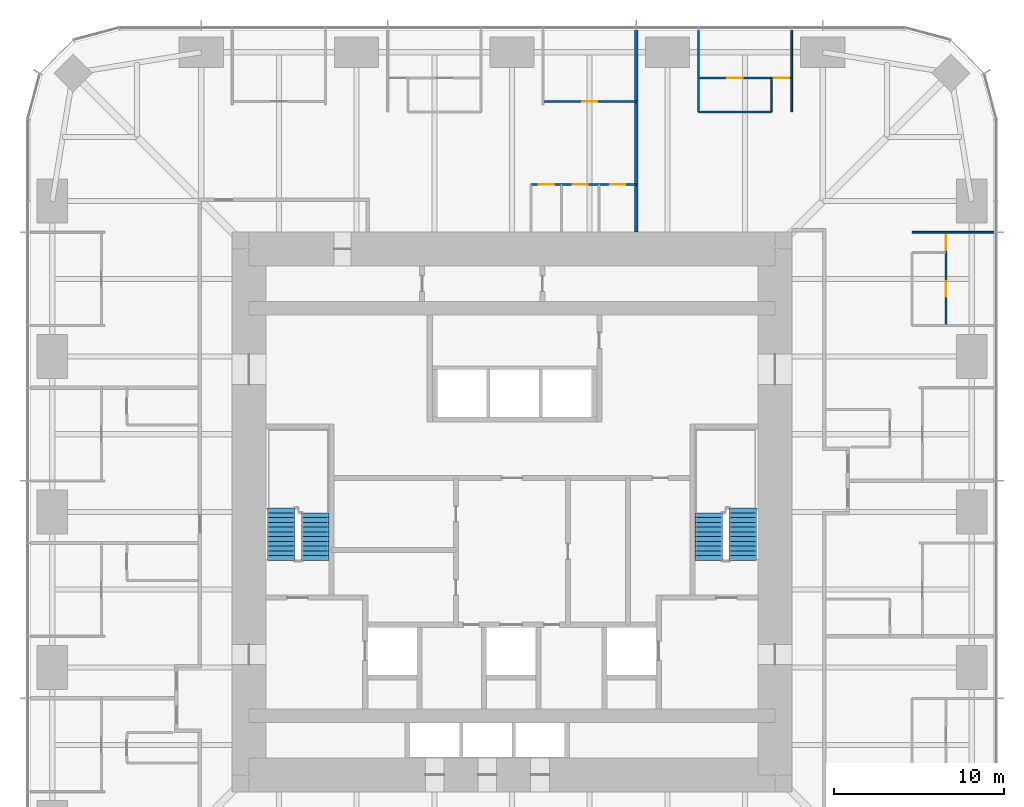
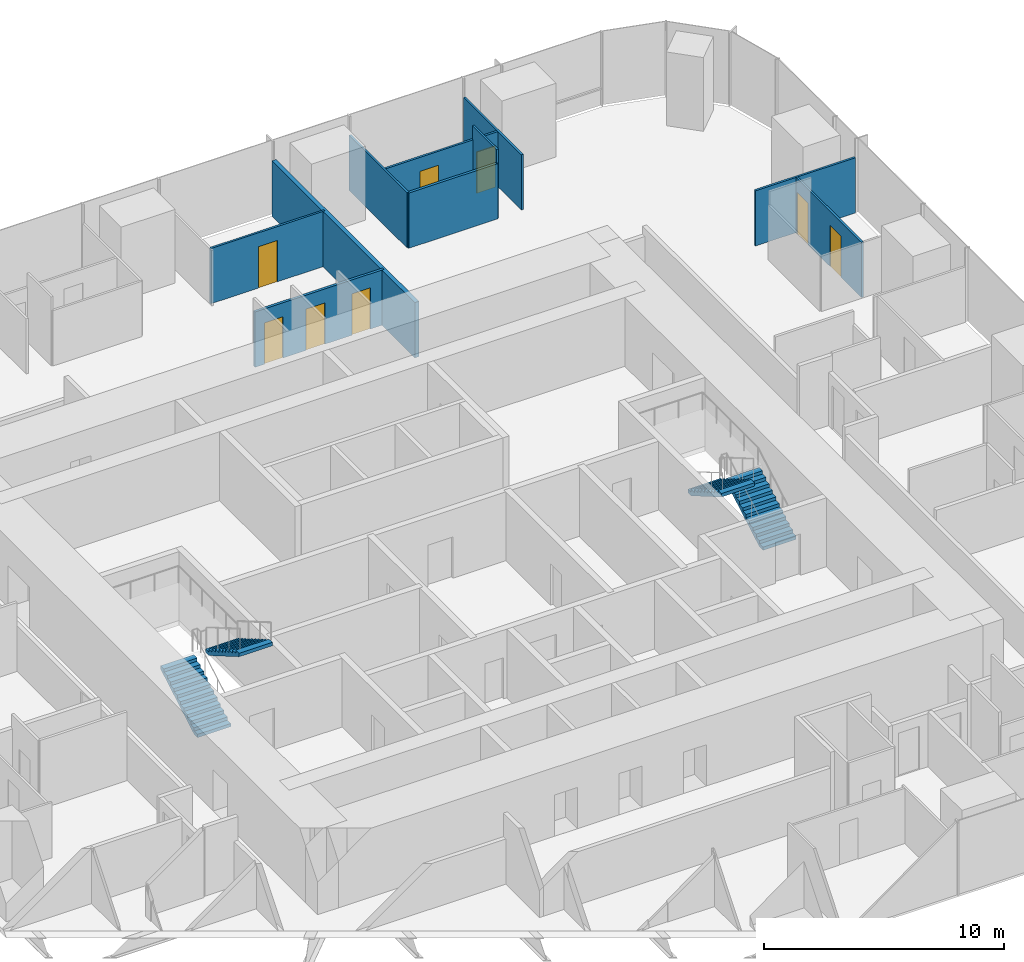
# One storey, part 12 of 13: 10 walls, 8 doors, 4 stair flights, 8 openings, 2 elements without a shape of their own.
"""IFC4 building model written with IfcOpenShell, lengths in metres."""

from ifc_helpers import new_model, si_unit, direction, frame, frame_2d, origin, place, context, subcontext, project, spatial, polyline, rectangle, outline, extrude, material, layer, layer_set, type_object, element, fill, aggregate, save


model = new_model("IFC4")

# Units and contexts
model_context = context("Model", 3, precision=1e-05, world=origin(), true_north=direction((0.0, 1.0)))
body_context = subcontext(model_context, "Body", "Model", "MODEL_VIEW")
ifc_project = project(units=[si_unit("LENGTHUNIT", "METRE"), si_unit("AREAUNIT", "SQUARE_METRE"), si_unit("VOLUMEUNIT", "CUBIC_METRE"), si_unit("PLANEANGLEUNIT", "RADIAN"), si_unit("MASSUNIT", "GRAM", prefix="KILO")], contexts=[model_context])

# Site, building, storey
site_placement = place(None, origin())
site = spatial("IfcSite", under=ifc_project, at=site_placement, CompositionType="ELEMENT")
building_placement = place(site_placement, origin())
building = spatial("IfcBuilding", under=site, at=building_placement, Name="Khuree Lantern Residences", CompositionType="ELEMENT")
storey_placement = place(building_placement, frame((0.0, 0.0, 156.0)))
storey = spatial("IfcBuildingStorey", under=building, at=storey_placement, Name="L39", CompositionType="ELEMENT", Elevation=156.0)

# Wall
ifc_material_1 = material(Name="Moisture-resistant gypsum board on steel studs", Category="steel")
ifc_layer_1 = layer(ifc_material_1, 0.125)
ifc_layer_set_1 = layer_set([ifc_layer_1], Name="BATHROOM WALL BTW125")
wall_type_1 = type_object("IfcWallType", Name="BATHROOM WALL BTW125", PredefinedType="PARTITIONING", material=ifc_layer_set_1)
wall_1_placement = place(storey_placement, frame((15.2880859375, 23.579833984375, 0.0), z_axis=(0.0, 0.0, 1.0), x_axis=(-1.0, 0.0, 0.0)))
element("IfcWall", 1, at=wall_1_placement, inside=storey, type_object=wall_type_1, Name="L39 BATHROOM WALL 02", PredefinedType="PARTITIONING", context=body_context, shape_type="SweptSolid", body=[
    extrude(rectangle(XDim=4.296142578125, YDim=0.125, at=frame_2d((2.14794921875, 0.0))), origin(), (0.0, 0.0, 1.0), 2.81005859375),
])

# Wall, openings, doors
wall_2_placement = place(storey_placement, frame((7.327880859375, 19.300048828125, 0.0), z_axis=(0.0, 0.0, 1.0), x_axis=(-1.0, 0.0, 0.0)))
wall_2 = element("IfcWall", 2, at=wall_2_placement, inside=storey, type_object=wall_type_1, Name="L39 BATHROOM WALL 03", PredefinedType="PARTITIONING", context=body_context, shape_type="SweptSolid", body=[
    extrude(rectangle(XDim=6.199951171875, YDim=0.125, at=frame_2d((3.10009765625, 0.0))), origin(), (0.0, 0.0, 1.0), 2.81005859375),
])
opening_1_placement = place(wall_2_placement, frame((0.64990234375, 0.0, 0.0)))
opening_1 = element("IfcOpeningElement", 3, at=opening_1_placement, cuts=wall_2, Name="Opening 39-039", PredefinedType="OPENING", context=body_context, shape_type="SweptSolid", body=[
    extrude(rectangle(XDim=0.89990234375, YDim=2.10009765625, at=frame_2d((0.449951171875, 1.050048828125))), frame((0.0, 0.072509765625, 0.0), z_axis=(0.0, -1.0, 0.0), x_axis=(1.0, 0.0, 0.0)), (0.0, 0.0, 1.0), 0.14501953125),
])
opening_2_placement = place(wall_2_placement, frame((2.85009765625, 0.0, 0.0)))
opening_2 = element("IfcOpeningElement", 4, at=opening_2_placement, cuts=wall_2, Name="Opening 39-040", PredefinedType="OPENING", context=body_context, shape_type="SweptSolid", body=[
    extrude(rectangle(XDim=0.89990234375, YDim=2.10009765625, at=frame_2d((0.449951171875, 1.050048828125))), frame((0.0, 0.072509765625, 0.0), z_axis=(0.0, -1.0, 0.0), x_axis=(1.0, 0.0, 0.0)), (0.0, 0.0, 1.0), 0.14501953125),
])
opening_3_placement = place(wall_2_placement, frame((4.85009765625, 0.0, 0.0)))
opening_3 = element("IfcOpeningElement", 5, at=opening_3_placement, cuts=wall_2, Name="Opening 39-041", PredefinedType="OPENING", context=body_context, shape_type="SweptSolid", body=[
    extrude(rectangle(XDim=0.89990234375, YDim=2.10009765625, at=frame_2d((0.449951171875, 1.050048828125))), frame((0.0, 0.072509765625, 0.0), z_axis=(0.0, -1.0, 0.0), x_axis=(1.0, 0.0, 0.0)), (0.0, 0.0, 1.0), 0.14501953125),
])
ifc_material_2 = material(Name="Timber door leaf in hardwood frame", Category="wood")
door_type_1 = type_object("IfcDoorType", Name="BATHROOM DOOR 900X2100", OperationType="SINGLE_SWING_LEFT", PredefinedType="DOOR", material=ifc_material_2)
door_1_placement = place(opening_1_placement, origin())
door_1 = element("IfcDoor", 6, at=door_1_placement, inside=storey, type_object=door_type_1, Name="Bathroom door 39-039", OperationType="SINGLE_SWING_LEFT", OverallHeight=2.10009765625, OverallWidth=0.89990234375, PredefinedType="DOOR", context=body_context, shape_type="SweptSolid", body=[
    extrude(rectangle(XDim=0.89990234375, YDim=2.10009765625, at=frame_2d((0.449951171875, 1.050048828125))), frame((0.0, 0.02490234375, 0.0), z_axis=(0.0, -1.0, 0.0), x_axis=(1.0, 0.0, 0.0)), (0.0, 0.0, 1.0), 0.050048828125),
])
fill(opening_1, door_1)
door_2_placement = place(opening_2_placement, origin())
door_2 = element("IfcDoor", 7, at=door_2_placement, inside=storey, type_object=door_type_1, Name="Bathroom door 39-040", OperationType="SINGLE_SWING_LEFT", OverallHeight=2.10009765625, OverallWidth=0.89990234375, PredefinedType="DOOR", context=body_context, shape_type="SweptSolid", body=[
    extrude(rectangle(XDim=0.89990234375, YDim=2.10009765625, at=frame_2d((0.449951171875, 1.050048828125))), frame((0.0, 0.02490234375, 0.0), z_axis=(0.0, -1.0, 0.0), x_axis=(1.0, 0.0, 0.0)), (0.0, 0.0, 1.0), 0.050048828125),
])
fill(opening_2, door_2)
door_type_2 = type_object("IfcDoorType", Name="DOOR 900X2100", OperationType="SINGLE_SWING_LEFT", PredefinedType="DOOR", material=ifc_material_2)
door_3_placement = place(opening_3_placement, origin())
door_3 = element("IfcDoor", 8, at=door_3_placement, inside=storey, type_object=door_type_2, Name="Store door 39-041", OperationType="SINGLE_SWING_LEFT", OverallHeight=2.10009765625, OverallWidth=0.89990234375, PredefinedType="DOOR", context=body_context, shape_type="SweptSolid", body=[
    extrude(rectangle(XDim=0.89990234375, YDim=2.10009765625, at=frame_2d((0.449951171875, 1.050048828125))), frame((0.0, 0.02490234375, 0.0), z_axis=(0.0, -1.0, 0.0), x_axis=(1.0, 0.0, 0.0)), (0.0, 0.0, 1.0), 0.050048828125),
])
fill(opening_3, door_3)

# Walls
ifc_material_3 = material(Name="Gypsum board on steel studs", Category="steel")
ifc_layer_2 = layer(ifc_material_3, 0.199951171875)
ifc_layer_set_2 = layer_set([ifc_layer_2], Name="DEMISING WALL DMW200 EI 90")
wall_type_2 = type_object("IfcWallType", Name="DEMISING WALL DMW200 EI 90", PredefinedType="PARTITIONING", material=ifc_layer_set_2)
wall_3_placement = place(storey_placement, frame((7.327880859375, 16.5, 0.0), z_axis=(0.0, 0.0, 1.0), x_axis=(0.0, 1.0, 0.0)))
element("IfcWall", 9, at=wall_3_placement, inside=storey, type_object=wall_type_2, Name="L39 DEMISING WALL 03", PredefinedType="PARTITIONING", context=body_context, shape_type="SweptSolid", body=[
    extrude(rectangle(XDim=11.89990234375, YDim=0.199951171875, at=frame_2d((5.949951171875, 0.0))), origin(), (0.0, 0.0, 1.0), 2.81005859375),
])
ifc_layer_3 = layer(ifc_material_3, 0.10009765625)
ifc_layer_set_3 = layer_set([ifc_layer_3], Name="PARTITION PT100")
wall_type_3 = type_object("IfcWallType", Name="PARTITION PT100", PredefinedType="PARTITIONING", material=ifc_layer_set_3)
for number, where, z_axis, x_axis, name in (
    (10, (23.579833984375, 16.488037109375, 0.0), (0.0, 0.0, 1.0), (1.0, 0.0, 0.0), "L39 PARTITION 02"),
    (11, (16.488037109375, 23.579833984375, 0.0), (0.0, 0.0, 1.0), (0.0, 1.0, 0.0), "L39 PARTITION 02"),
    (12, (10.991943359375, 23.579833984375, 0.0), (0.0, 0.0, 1.0), (0.0, 1.0, 0.0), "L39 PARTITION 02"),
):
    element("IfcWall", number, at=place(storey_placement, frame(where, z_axis=z_axis, x_axis=x_axis)), inside=storey, type_object=wall_type_3, Name=name, PredefinedType="PARTITIONING", context=body_context, shape_type="SweptSolid", body=[
        extrude(rectangle(XDim=4.820068359375, YDim=0.10009765625, at=frame_2d((2.41015625, 0.0))), origin(), (0.0, 0.0, 1.0), 2.81005859375),
    ])

# Wall, openings, doors
wall_4_placement = place(storey_placement, frame((25.579833984375, 10.991943359375, 0.0), z_axis=(0.0, 0.0, 1.0), x_axis=(0.0, 1.0, 0.0)))
wall_4 = element("IfcWall", 13, at=wall_4_placement, inside=storey, type_object=wall_type_3, Name="L39 PARTITION 02", PredefinedType="PARTITIONING", context=body_context, shape_type="SweptSolid", body=[
    extrude(rectangle(XDim=5.49609375, YDim=0.10009765625, at=frame_2d((2.748046875, 0.0))), origin(), (0.0, 0.0, 1.0), 2.81005859375),
])
opening_4_placement = place(wall_4_placement, frame((4.446044921875, 0.0, 0.0)))
opening_4 = element("IfcOpeningElement", 14, at=opening_4_placement, cuts=wall_4, Name="Opening 39-028", PredefinedType="OPENING", context=body_context, shape_type="SweptSolid", body=[
    extrude(rectangle(XDim=0.89990234375, YDim=2.10009765625, at=frame_2d((0.449951171875, 1.050048828125))), frame((0.0, 0.06005859375, 0.0), z_axis=(0.0, -1.0, 0.0), x_axis=(1.0, 0.0, 0.0)), (0.0, 0.0, 1.0), 0.1201171875),
])
opening_5_placement = place(wall_4_placement, frame((1.697998046875, 0.0, 0.0)))
opening_5 = element("IfcOpeningElement", 15, at=opening_5_placement, cuts=wall_4, Name="Opening 39-029", PredefinedType="OPENING", context=body_context, shape_type="SweptSolid", body=[
    extrude(rectangle(XDim=0.89990234375, YDim=2.10009765625, at=frame_2d((0.449951171875, 1.050048828125))), frame((0.0, 0.06005859375, 0.0), z_axis=(0.0, -1.0, 0.0), x_axis=(1.0, 0.0, 0.0)), (0.0, 0.0, 1.0), 0.1201171875),
])
door_type_3 = type_object("IfcDoorType", Name="BEDROOM DOOR 900X2100", OperationType="SINGLE_SWING_LEFT", PredefinedType="DOOR", material=ifc_material_2)
door_4_placement = place(opening_4_placement, origin())
door_4 = element("IfcDoor", 16, at=door_4_placement, inside=storey, type_object=door_type_3, Name="Bedroom door 39-028", OperationType="SINGLE_SWING_LEFT", OverallHeight=2.10009765625, OverallWidth=0.89990234375, PredefinedType="DOOR", context=body_context, shape_type="SweptSolid", body=[
    extrude(rectangle(XDim=0.89990234375, YDim=2.10009765625, at=frame_2d((0.449951171875, 1.050048828125))), frame((0.0, 0.02490234375, 0.0), z_axis=(0.0, -1.0, 0.0), x_axis=(1.0, 0.0, 0.0)), (0.0, 0.0, 1.0), 0.050048828125),
])
fill(opening_4, door_4)
door_5_placement = place(opening_5_placement, origin())
door_5 = element("IfcDoor", 17, at=door_5_placement, inside=storey, type_object=door_type_2, Name="Wardrobe door 39-029", OperationType="SINGLE_SWING_LEFT", OverallHeight=2.10009765625, OverallWidth=0.89990234375, PredefinedType="DOOR", context=body_context, shape_type="SweptSolid", body=[
    extrude(rectangle(XDim=0.89990234375, YDim=2.10009765625, at=frame_2d((0.449951171875, 1.050048828125))), frame((0.0, 0.02490234375, 0.0), z_axis=(0.0, -1.0, 0.0), x_axis=(1.0, 0.0, 0.0)), (0.0, 0.0, 1.0), 0.050048828125),
])
fill(opening_5, door_5)

wall_5_placement = place(storey_placement, frame((16.488037109375, 25.579833984375, 0.0), z_axis=(0.0, 0.0, 1.0), x_axis=(-1.0, 0.0, 0.0)))
wall_5 = element("IfcWall", 18, at=wall_5_placement, inside=storey, type_object=wall_type_3, Name="L39 PARTITION 02", PredefinedType="PARTITIONING", context=body_context, shape_type="SweptSolid", body=[
    extrude(rectangle(XDim=5.49609375, YDim=0.10009765625, at=frame_2d((2.748046875, 0.0))), origin(), (0.0, 0.0, 1.0), 2.81005859375),
])
opening_6_placement = place(wall_5_placement, frame((0.14990234375, 0.0, 0.0)))
opening_6 = element("IfcOpeningElement", 19, at=opening_6_placement, cuts=wall_5, Name="Opening 39-030", PredefinedType="OPENING", context=body_context, shape_type="SweptSolid", body=[
    extrude(rectangle(XDim=0.89990234375, YDim=2.10009765625, at=frame_2d((0.449951171875, 1.050048828125))), frame((0.0, 0.06005859375, 0.0), z_axis=(0.0, -1.0, 0.0), x_axis=(1.0, 0.0, 0.0)), (0.0, 0.0, 1.0), 0.1201171875),
])
opening_7_placement = place(wall_5_placement, frame((2.89794921875, 0.0, 0.0)))
opening_7 = element("IfcOpeningElement", 20, at=opening_7_placement, cuts=wall_5, Name="Opening 39-031", PredefinedType="OPENING", context=body_context, shape_type="SweptSolid", body=[
    extrude(rectangle(XDim=0.89990234375, YDim=2.10009765625, at=frame_2d((0.449951171875, 1.050048828125))), frame((0.0, 0.06005859375, 0.0), z_axis=(0.0, -1.0, 0.0), x_axis=(1.0, 0.0, 0.0)), (0.0, 0.0, 1.0), 0.1201171875),
])
door_6_placement = place(opening_7_placement, origin())
door_6 = element("IfcDoor", 21, at=door_6_placement, inside=storey, type_object=door_type_1, Name="Bathroom door 39-031", OperationType="SINGLE_SWING_LEFT", OverallHeight=2.10009765625, OverallWidth=0.89990234375, PredefinedType="DOOR", context=body_context, shape_type="SweptSolid", body=[
    extrude(rectangle(XDim=0.89990234375, YDim=2.10009765625, at=frame_2d((0.449951171875, 1.050048828125))), frame((0.0, 0.02490234375, 0.0), z_axis=(0.0, -1.0, 0.0), x_axis=(1.0, 0.0, 0.0)), (0.0, 0.0, 1.0), 0.050048828125),
])
fill(opening_7, door_6)
door_7_placement = place(opening_6_placement, origin())
door_7 = element("IfcDoor", 22, at=door_7_placement, inside=storey, type_object=door_type_3, Name="Bedroom door 39-030", OperationType="SINGLE_SWING_LEFT", OverallHeight=2.10009765625, OverallWidth=0.89990234375, PredefinedType="DOOR", context=body_context, shape_type="SweptSolid", body=[
    extrude(rectangle(XDim=0.89990234375, YDim=2.10009765625, at=frame_2d((0.449951171875, 1.050048828125))), frame((0.0, 0.02490234375, 0.0), z_axis=(0.0, -1.0, 0.0), x_axis=(1.0, 0.0, 0.0)), (0.0, 0.0, 1.0), 0.050048828125),
])
fill(opening_6, door_7)

# Wall
wall_6_placement = place(storey_placement, frame((15.2880859375, 23.579833984375, 0.0), z_axis=(0.0, 0.0, 1.0), x_axis=(0.0, 1.0, 0.0)))
element("IfcWall", 23, at=wall_6_placement, inside=storey, type_object=wall_type_3, Name="L39 PARTITION 02", PredefinedType="PARTITIONING", context=body_context, shape_type="SweptSolid", body=[
    extrude(rectangle(XDim=2.0, YDim=0.10009765625, at=frame_2d((1.0, 0.0))), origin(), (0.0, 0.0, 1.0), 3.5),
])

# Wall, opening, door
wall_7_placement = place(storey_placement, frame((7.327880859375, 24.199951171875, 0.0), z_axis=(0.0, 0.0, 1.0), x_axis=(-1.0, 0.0, 0.0)))
wall_7 = element("IfcWall", 24, at=wall_7_placement, inside=storey, type_object=wall_type_3, Name="L39 PARTITION 03", PredefinedType="PARTITIONING", context=body_context, shape_type="SweptSolid", body=[
    extrude(rectangle(XDim=5.495849609375, YDim=0.10009765625, at=frame_2d((2.748046875, 0.0))), origin(), (0.0, 0.0, 1.0), 2.81005859375),
])
opening_8_placement = place(wall_7_placement, frame((2.298095703125, 0.0, 0.0)))
opening_8 = element("IfcOpeningElement", 25, at=opening_8_placement, cuts=wall_7, Name="Opening 39-034", PredefinedType="OPENING", context=body_context, shape_type="SweptSolid", body=[
    extrude(rectangle(XDim=0.89990234375, YDim=2.10009765625, at=frame_2d((0.449951171875, 1.050048828125))), frame((0.0, 0.06005859375, 0.0), z_axis=(0.0, -1.0, 0.0), x_axis=(1.0, 0.0, 0.0)), (0.0, 0.0, 1.0), 0.1201171875),
])
door_8_placement = place(opening_8_placement, origin())
door_8 = element("IfcDoor", 26, at=door_8_placement, inside=storey, type_object=door_type_3, Name="Bedroom door 39-034", OperationType="SINGLE_SWING_LEFT", OverallHeight=2.10009765625, OverallWidth=0.89990234375, PredefinedType="DOOR", context=body_context, shape_type="SweptSolid", body=[
    extrude(rectangle(XDim=0.89990234375, YDim=2.10009765625, at=frame_2d((0.449951171875, 1.050048828125))), frame((0.0, 0.02490234375, 0.0), z_axis=(0.0, -1.0, 0.0), x_axis=(1.0, 0.0, 0.0)), (0.0, 0.0, 1.0), 0.050048828125),
])
fill(opening_8, door_8)

# Stair, stair flights
ifc_material_4 = material(Name="Concrete C40/50", Category="concrete")
stair_type = type_object("IfcStairType", Name="STAIR ST1 HALF TURN 3600", PredefinedType="HALF_TURN_STAIR", material=ifc_material_4)
stair_1_placement = place(storey_placement, origin())
stair_1 = element("IfcStair", 27, at=stair_1_placement, inside=storey, type_object=stair_type, Name="Stair ST1", PredefinedType="HALF_TURN_STAIR")
stair_flight_type = type_object("IfcStairFlightType", Name="STAIR FLIGHT SF1 1600", PredefinedType="STRAIGHT", material=ifc_material_4)
stair_flight_1_placement = place(storey_placement, frame((-13.60009765625, -2.860107421875, 0.0), z_axis=(0.0, 0.0, 1.0), x_axis=(0.0, 1.0, 0.0)))
stair_flight_1 = element("IfcStairFlight", 28, at=stair_flight_1_placement, type_object=stair_flight_type, Name="ST1 flight 1", NumberOfRisers=12, NumberOfTreads=11, PredefinedType="STRAIGHT", RiserHeight=0.163043478, TreadLength=0.28, context=body_context, shape_type="SweptSolid", body=[
    extrude(outline(polyline([(0.0, 0.0), (0.0, 0.1630859375), (0.280029296875, 0.1630859375), (0.280029296875, 0.326171875), (0.56005859375, 0.326171875), (0.56005859375, 0.489013671875), (0.840087890625, 0.489013671875), (0.840087890625, 0.652099609375), (1.1201171875, 0.652099609375), (1.1201171875, 0.815185546875), (1.39990234375, 0.815185546875), (1.39990234375, 0.978271484375), (1.679931640625, 0.978271484375), (1.679931640625, 1.141357421875), (1.9599609375, 1.141357421875), (1.9599609375, 1.304443359375), (2.239990234375, 1.304443359375), (2.239990234375, 1.46728515625), (2.52001953125, 1.46728515625), (2.52001953125, 1.63037109375), (2.800048828125, 1.63037109375), (2.800048828125, 1.79345703125), (3.080078125, 1.79345703125), (3.080078125, 1.95654296875), (3.080078125, 1.6201171875), (0.2978515625, 0.0), (0.0, 0.0)])), frame((0.0, 0.800048828125, 0.0), z_axis=(0.0, -1.0, 0.0), x_axis=(1.0, 0.0, 0.0)), (0.0, 0.0, 1.0), 1.60009765625),
])
stair_flight_2_placement = place(storey_placement, frame((-11.60009765625, -0.06005859375, 1.95654296875), z_axis=(0.0, 0.0, 1.0), x_axis=(0.0, -1.0, 0.0)))
stair_flight_2 = element("IfcStairFlight", 29, at=stair_flight_2_placement, type_object=stair_flight_type, Name="ST1 flight 2", NumberOfRisers=11, NumberOfTreads=10, PredefinedType="STRAIGHT", RiserHeight=0.163043478, TreadLength=0.28, context=body_context, shape_type="SweptSolid", body=[
    extrude(outline(polyline([(0.0, 0.0), (0.0, 0.1630859375), (0.280029296875, 0.1630859375), (0.280029296875, 0.326171875), (0.56005859375, 0.326171875), (0.56005859375, 0.489013671875), (0.840087890625, 0.489013671875), (0.840087890625, 0.652099609375), (1.1201171875, 0.652099609375), (1.1201171875, 0.815185546875), (1.39990234375, 0.815185546875), (1.39990234375, 0.978271484375), (1.679931640625, 0.978271484375), (1.679931640625, 1.141357421875), (1.9599609375, 1.141357421875), (1.9599609375, 1.304443359375), (2.239990234375, 1.304443359375), (2.239990234375, 1.46728515625), (2.52001953125, 1.46728515625), (2.52001953125, 1.63037109375), (2.800048828125, 1.63037109375), (2.800048828125, 1.79345703125), (2.800048828125, 1.45703125), (0.2978515625, 0.0), (0.0, 0.0)])), frame((0.0, 0.800048828125, 0.0), z_axis=(0.0, -1.0, 0.0), x_axis=(1.0, 0.0, 0.0)), (0.0, 0.0, 1.0), 1.60009765625),
])
aggregate(stair_1, [stair_flight_1, stair_flight_2])

stair_2_placement = place(storey_placement, origin())
stair_2 = element("IfcStair", 30, at=stair_2_placement, inside=storey, type_object=stair_type, Name="Stair ST2", PredefinedType="HALF_TURN_STAIR")
stair_flight_3_placement = place(storey_placement, frame((13.60009765625, -2.860107421875, 0.0), z_axis=(0.0, 0.0, 1.0), x_axis=(0.0, 1.0, 0.0)))
stair_flight_3 = element("IfcStairFlight", 31, at=stair_flight_3_placement, type_object=stair_flight_type, Name="ST2 flight 1", NumberOfRisers=12, NumberOfTreads=11, PredefinedType="STRAIGHT", RiserHeight=0.163043478, TreadLength=0.28, context=body_context, shape_type="SweptSolid", body=[
    extrude(outline(polyline([(0.0, 0.0), (0.0, 0.1630859375), (0.280029296875, 0.1630859375), (0.280029296875, 0.326171875), (0.56005859375, 0.326171875), (0.56005859375, 0.489013671875), (0.840087890625, 0.489013671875), (0.840087890625, 0.652099609375), (1.1201171875, 0.652099609375), (1.1201171875, 0.815185546875), (1.39990234375, 0.815185546875), (1.39990234375, 0.978271484375), (1.679931640625, 0.978271484375), (1.679931640625, 1.141357421875), (1.9599609375, 1.141357421875), (1.9599609375, 1.304443359375), (2.239990234375, 1.304443359375), (2.239990234375, 1.46728515625), (2.52001953125, 1.46728515625), (2.52001953125, 1.63037109375), (2.800048828125, 1.63037109375), (2.800048828125, 1.79345703125), (3.080078125, 1.79345703125), (3.080078125, 1.95654296875), (3.080078125, 1.6201171875), (0.2978515625, 0.0), (0.0, 0.0)])), frame((0.0, 0.800048828125, 0.0), z_axis=(0.0, -1.0, 0.0), x_axis=(1.0, 0.0, 0.0)), (0.0, 0.0, 1.0), 1.60009765625),
])
stair_flight_4_placement = place(storey_placement, frame((11.60009765625, -0.06005859375, 1.95654296875), z_axis=(0.0, 0.0, 1.0), x_axis=(0.0, -1.0, 0.0)))
stair_flight_4 = element("IfcStairFlight", 32, at=stair_flight_4_placement, type_object=stair_flight_type, Name="ST2 flight 2", NumberOfRisers=11, NumberOfTreads=10, PredefinedType="STRAIGHT", RiserHeight=0.163043478, TreadLength=0.28, context=body_context, shape_type="SweptSolid", body=[
    extrude(outline(polyline([(0.0, 0.0), (0.0, 0.1630859375), (0.280029296875, 0.1630859375), (0.280029296875, 0.326171875), (0.56005859375, 0.326171875), (0.56005859375, 0.489013671875), (0.840087890625, 0.489013671875), (0.840087890625, 0.652099609375), (1.1201171875, 0.652099609375), (1.1201171875, 0.815185546875), (1.39990234375, 0.815185546875), (1.39990234375, 0.978271484375), (1.679931640625, 0.978271484375), (1.679931640625, 1.141357421875), (1.9599609375, 1.141357421875), (1.9599609375, 1.304443359375), (2.239990234375, 1.304443359375), (2.239990234375, 1.46728515625), (2.52001953125, 1.46728515625), (2.52001953125, 1.63037109375), (2.800048828125, 1.63037109375), (2.800048828125, 1.79345703125), (2.800048828125, 1.45703125), (0.2978515625, 0.0), (0.0, 0.0)])), frame((0.0, 0.800048828125, 0.0), z_axis=(0.0, -1.0, 0.0), x_axis=(1.0, 0.0, 0.0)), (0.0, 0.0, 1.0), 1.60009765625),
])
aggregate(stair_2, [stair_flight_3, stair_flight_4])

save(model, "model.ifc")
